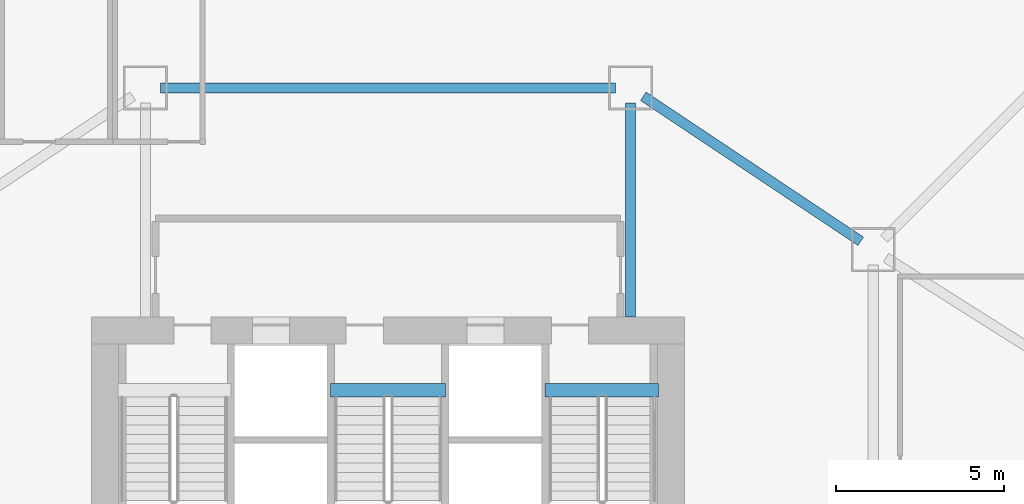
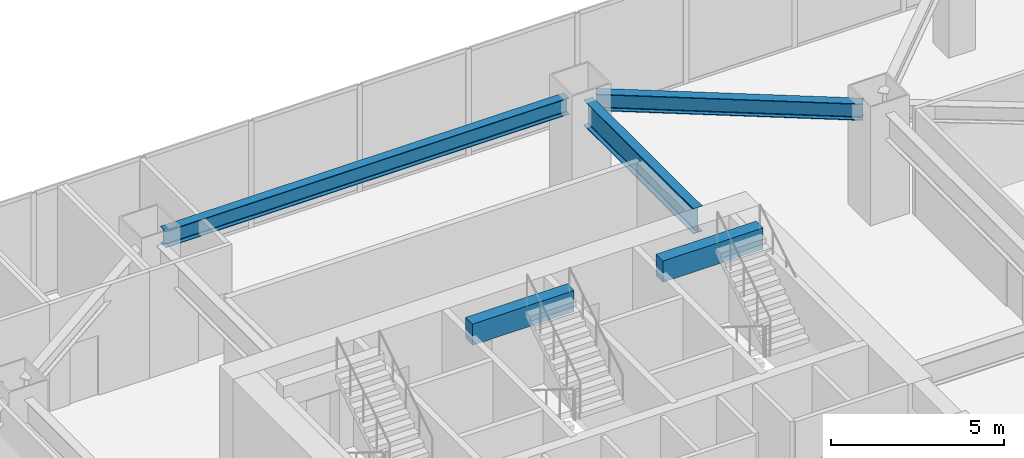
# One storey, part 15 of 32: 5 beams.
"""IFC4 building model written with IfcOpenShell, lengths in metres."""

from ifc_helpers import new_model, si_unit, direction, frame, origin, origin_2d, place, context, subcontext, project, spatial, rectangle, i_section, extrude, material, material_profile, profile_set, type_object, element, save


model = new_model("IFC4")

# Units and contexts
model_context = context("Model", 3, precision=1e-05, world=origin(), true_north=direction((0.0, 1.0)))
body_context = subcontext(model_context, "Body", "Model", "MODEL_VIEW")
ifc_project = project(units=[si_unit("LENGTHUNIT", "METRE"), si_unit("AREAUNIT", "SQUARE_METRE"), si_unit("VOLUMEUNIT", "CUBIC_METRE"), si_unit("PLANEANGLEUNIT", "RADIAN"), si_unit("MASSUNIT", "GRAM", prefix="KILO")], contexts=[model_context])

# Site, building, storey
site_placement = place(None, origin())
site = spatial("IfcSite", under=ifc_project, at=site_placement, CompositionType="ELEMENT")
building_placement = place(site_placement, origin())
building = spatial("IfcBuilding", under=site, at=building_placement, Name="Haolan Belvedere Tower", CompositionType="ELEMENT")
storey_placement = place(building_placement, frame((0.0, 0.0, 15.60009765625)))
storey = spatial("IfcBuildingStorey", under=building, at=storey_placement, Name="L03", CompositionType="ELEMENT", Elevation=15.60009765625)

# Beams
ifc_material_1 = material(Name="Steel Q355B", Category="steel")
ifc_material_profile_1 = material_profile(ifc_material_1, i_section(OverallWidth=0.300048828125, OverallDepth=0.587890625, WebThickness=0.011962890625, FlangeThickness=0.02001953125, FilletRadius=0.028076171875, at=origin_2d()), Name="Steel Q355B")
ifc_profile_set_1 = profile_set([ifc_material_profile_1], Name="Steel Q355B")
beam_type_1 = type_object("IfcBeamType", Name="BM-HM588x300x12x20", PredefinedType="SPANDREL", material=ifc_profile_set_1)
beam_1_placement = place(storey_placement, frame((45.974365234375, 50.150390625, 3.48583984375), z_axis=(0.832050294338, -0.554700196225, 0.0), x_axis=(0.554700196225, 0.832050294338, 0.0)))
element("IfcBeam", 1, at=beam_1_placement, inside=storey, type_object=beam_type_1, Name="L03 spandrel girder MC-T3-N2-MC-T3-NE", PredefinedType="SPANDREL", context=body_context, shape_type="SweptSolid", body=[
    extrude(i_section(OverallWidth=0.300048828125, OverallDepth=0.587890625, WebThickness=0.011962890625, FlangeThickness=0.02001953125, FilletRadius=0.028076171875, at=origin_2d()), origin(), (0.0, 0.0, 1.0), 7.75341796875),
])
beam_2_placement = place(storey_placement, frame((31.64990234375, 50.39990234375, 3.48583984375), z_axis=(1.0, 0.0, 0.0), x_axis=(0.0, 1.0, 0.0)))
element("IfcBeam", 2, at=beam_2_placement, inside=storey, type_object=beam_type_1, Name="L03 spandrel girder MC-T3-N1-MC-T3-N2", PredefinedType="SPANDREL", context=body_context, shape_type="SweptSolid", body=[
    extrude(i_section(OverallWidth=0.300048828125, OverallDepth=0.587890625, WebThickness=0.011962890625, FlangeThickness=0.02001953125, FilletRadius=0.028076171875, at=origin_2d()), origin(), (0.0, 0.0, 1.0), 13.5),
])
ifc_material_profile_2 = material_profile(ifc_material_1, i_section(OverallWidth=0.300048828125, OverallDepth=0.89990234375, WebThickness=0.01611328125, FlangeThickness=0.028076171875, FilletRadius=0.028076171875, at=origin_2d()), Name="Steel Q355B")
ifc_profile_set_2 = profile_set([ifc_material_profile_2], Name="Steel Q355B")
beam_type_2 = type_object("IfcBeamType", Name="BM-HN900x300x16x28", PredefinedType="BEAM", material=ifc_profile_set_2)
beam_3_placement = place(storey_placement, frame((45.60009765625, 49.949951171875, 3.329833984375), z_axis=(0.0, -1.0, 0.0), x_axis=(1.0, 0.0, 0.0)))
element("IfcBeam", 3, at=beam_3_placement, inside=storey, type_object=beam_type_2, Name="L03 core tie beam from MC-T3-N2", PredefinedType="BEAM", context=body_context, shape_type="SweptSolid", body=[
    extrude(i_section(OverallWidth=0.300048828125, OverallDepth=0.89990234375, WebThickness=0.01611328125, FlangeThickness=0.028076171875, FilletRadius=0.028076171875, at=origin_2d()), origin(), (0.0, 0.0, 1.0), 6.349853515625),
])
ifc_material_2 = material(Name="Concrete C50/60", Category="concrete")
ifc_material_profile_3 = material_profile(ifc_material_2, rectangle(XDim=0.39990234375, YDim=0.75, at=origin_2d()), Name="Concrete C50/60")
ifc_profile_set_3 = profile_set([ifc_material_profile_3], Name="Concrete C50/60")
beam_type_3 = type_object("IfcBeamType", Name="BM-RC400x750", PredefinedType="T_BEAM", material=ifc_profile_set_3)
beam_4_placement = place(storey_placement, frame((36.699951171875, 41.429931640625, 3.824951171875), z_axis=(1.0, 0.0, 0.0), x_axis=(0.0, 1.0, 0.0)))
element("IfcBeam", 4, at=beam_4_placement, inside=storey, type_object=beam_type_3, Name="L04 stair ST3 RC header trimmer beam", PredefinedType="BEAM", context=body_context, shape_type="SweptSolid", body=[
    extrude(rectangle(XDim=0.39990234375, YDim=0.75, at=origin_2d()), origin(), (0.0, 0.0, 1.0), 3.400146484375),
])
beam_5_placement = place(storey_placement, frame((43.06005859375, 41.429931640625, 3.824951171875), z_axis=(1.0, 0.0, 0.0), x_axis=(0.0, 1.0, 0.0)))
element("IfcBeam", 5, at=beam_5_placement, inside=storey, type_object=beam_type_3, Name="L04 stair ST2 RC header trimmer beam", PredefinedType="BEAM", context=body_context, shape_type="SweptSolid", body=[
    extrude(rectangle(XDim=0.39990234375, YDim=0.75, at=origin_2d()), origin(), (0.0, 0.0, 1.0), 3.35986328125),
])

save(model, "model.ifc")
